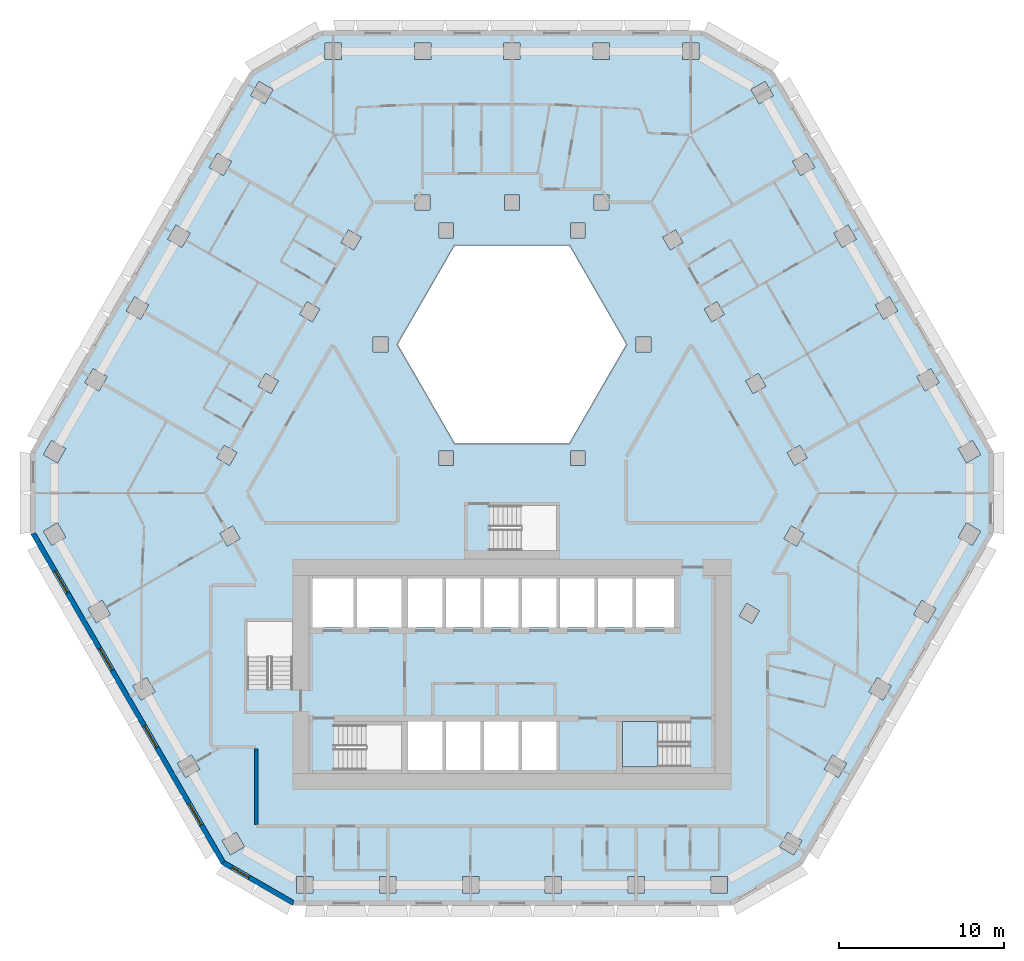
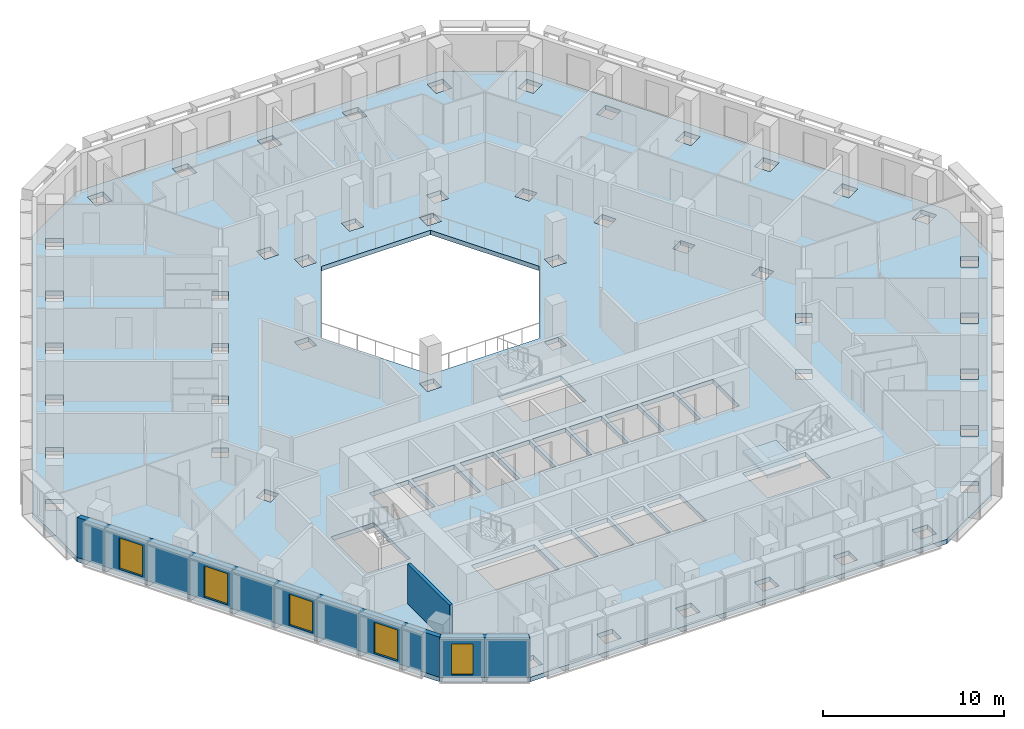
# One storey, part 2 of 15: 5 windows, 3 walls, 2 slabs, 5 openings, 1 element without a shape of its own.
"""IFC4 building model written with IfcOpenShell, lengths in metres."""

from ifc_helpers import new_model, si_unit, direction, frame, frame_2d, origin, place, context, subcontext, project, spatial, polyline, rectangle, outline, extrude, material, layer, layer_set, type_object, element, fill, aggregate, save


model = new_model("IFC4")

# Units and contexts
model_context = context("Model", 3, precision=1e-05, world=origin(), true_north=direction((0.0, 1.0)))
body_context = subcontext(model_context, "Body", "Model", "MODEL_VIEW")
ifc_project = project(units=[si_unit("LENGTHUNIT", "METRE"), si_unit("AREAUNIT", "SQUARE_METRE"), si_unit("VOLUMEUNIT", "CUBIC_METRE"), si_unit("PLANEANGLEUNIT", "RADIAN"), si_unit("MASSUNIT", "GRAM", prefix="KILO")], contexts=[model_context])

# Site, building, storey
site_placement = place(None, origin())
site = spatial("IfcSite", under=ifc_project, at=site_placement, CompositionType="ELEMENT")
building_placement = place(site_placement, origin())
building = spatial("IfcBuilding", under=site, at=building_placement, Name="Beryl Residences", CompositionType="ELEMENT")
storey_placement = place(building_placement, frame((0.0, 0.0, 72.0)))
storey = spatial("IfcBuildingStorey", under=building, at=storey_placement, Name="L21", CompositionType="ELEMENT", Elevation=72.0)

# Slab
ifc_material_1 = material(Name="Concrete C40/50", Category="concrete")
ifc_layer_1 = layer(ifc_material_1, 0.300048828125)
ifc_layer_set_1 = layer_set([ifc_layer_1], Name="SL7 PT floor slab 300 mm C40/50")
slab_type_1 = type_object("IfcSlabType", Name="SL7 PT floor slab 300 mm C40/50", PredefinedType="FLOOR", material=ifc_layer_set_1)
slab_1_placement = place(storey_placement, frame((0.0, 0.0, -0.300048828125)))
element("IfcSlab", 1, at=slab_1_placement, inside=storey, type_object=slab_type_1, Name="L21 slab 1", PredefinedType="FLOOR", context=body_context, shape_type="SweptSolid", body=[
    extrude(outline(polyline([(29.156982421875, -3.5), (17.60888671875, -23.5), (13.279052734375, -26.0), (-13.279052734375, -26.0), (-17.60888671875, -23.5), (-29.156982421875, -3.5), (-29.156982421875, 1.5), (-15.876953125, 24.5), (-11.547119140625, 27.0), (11.547119140625, 27.0), (15.876953125, 24.5), (29.156982421875, 1.5), (29.156982421875, -3.5)]), holes=[polyline([(28.39697265625, 1.31591796875), (27.89697265625, 2.181884765625), (27.031005859375, 1.681884765625), (27.531005859375, 0.81591796875), (28.39697265625, 1.31591796875)]), polyline([(28.39697265625, -3.31591796875), (27.531005859375, -2.81591796875), (27.031005859375, -3.681884765625), (27.89697265625, -4.181884765625), (28.39697265625, -3.31591796875)]), polyline([(25.385009765625, 6.532958984375), (24.51904296875, 6.032958984375), (25.01904296875, 5.1669921875), (25.885009765625, 5.6669921875), (25.385009765625, 6.532958984375)]), polyline([(25.68994140625, -8.00390625), (24.823974609375, -7.50390625), (24.323974609375, -8.3701171875), (25.18994140625, -8.8701171875), (25.68994140625, -8.00390625)]), polyline([(22.873046875, 10.883056640625), (22.007080078125, 10.383056640625), (22.507080078125, 9.51708984375), (23.373046875, 10.01708984375), (22.873046875, 10.883056640625)]), polyline([(22.116943359375, -12.19189453125), (21.616943359375, -13.05810546875), (22.48291015625, -13.55810546875), (22.98291015625, -12.69189453125), (22.116943359375, -12.19189453125)]), polyline([(20.362060546875, 15.23291015625), (19.49609375, 14.73291015625), (19.99609375, 13.866943359375), (20.862060546875, 14.366943359375), (20.362060546875, 15.23291015625)]), polyline([(19.777099609375, -18.24609375), (20.277099609375, -17.3798828125), (19.410888671875, -16.8798828125), (18.910888671875, -17.74609375), (19.777099609375, -18.24609375)]), polyline([(17.85009765625, 19.5830078125), (16.98388671875, 19.0830078125), (17.48388671875, 18.217041015625), (18.35009765625, 18.717041015625), (17.85009765625, 19.5830078125)]), polyline([(17.443115234375, 1.888916015625), (16.6630859375, 1.43896484375), (17.113037109375, 0.658935546875), (17.89306640625, 1.10888671875), (17.443115234375, 1.888916015625)]), polyline([(17.697998046875, -3.447021484375), (16.91796875, -2.9970703125), (16.468017578125, -3.777099609375), (17.248046875, -4.22705078125), (17.697998046875, -3.447021484375)]), polyline([(17.570068359375, -22.068115234375), (16.7041015625, -21.568115234375), (16.2041015625, -22.43408203125), (17.070068359375, -22.93408203125), (17.570068359375, -22.068115234375)]), polyline([(15.839111328125, 23.06689453125), (15.339111328125, 23.93310546875), (14.472900390625, 23.43310546875), (14.972900390625, 22.56689453125), (15.839111328125, 23.06689453125)]), polyline([(14.930908203125, 6.239990234375), (14.15087890625, 5.7900390625), (14.60107421875, 5.010009765625), (15.381103515625, 5.4599609375), (14.930908203125, 6.239990234375)]), polyline([(14.990966796875, -8.135009765625), (14.2109375, -7.68505859375), (13.760986328125, -8.465087890625), (14.541015625, -8.9150390625), (14.990966796875, -8.135009765625)]), polyline([(13.05810546875, -25.25), (13.05810546875, -24.25), (12.05810546875, -24.25), (12.05810546875, -25.25), (13.05810546875, -25.25)]), polyline([(12.419921875, 10.590087890625), (11.639892578125, 10.139892578125), (12.090087890625, 9.360107421875), (12.8701171875, 9.81005859375), (12.419921875, 10.590087890625)]), polyline([(11.324951171875, 26.25), (10.324951171875, 26.25), (10.324951171875, 25.25), (11.324951171875, 25.25), (11.324951171875, 26.25)]), polyline([(10.699951171875, -14.85009765625), (6.699951171875, -14.85009765625), (6.699951171875, -17.60009765625), (10.699951171875, -17.60009765625), (10.699951171875, -14.85009765625)]), polyline([(9.1279296875, 14.489990234375), (9.577880859375, 13.7099609375), (10.35791015625, 14.159912109375), (9.907958984375, 14.93994140625), (9.1279296875, 14.489990234375)]), polyline([(9.800048828125, -6.199951171875), (7.5, -6.199951171875), (7.5, -9.14990234375), (9.800048828125, -9.14990234375), (9.800048828125, -6.199951171875)]), polyline([(8.4169921875, 7.550048828125), (8.4169921875, 8.449951171875), (7.51708984375, 8.449951171875), (7.51708984375, 7.550048828125), (8.4169921875, 7.550048828125)]), polyline([(8.034912109375, -25.25), (8.034912109375, -24.25), (7.034912109375, -24.25), (7.034912109375, -25.25), (8.034912109375, -25.25)]), polyline([(5.199951171875, -6.199951171875), (5.199951171875, -9.14990234375), (7.300048828125, -9.14990234375), (7.300048828125, -6.199951171875), (5.199951171875, -6.199951171875)]), polyline([(3.464111328125, 14.0), (-3.464111328125, 14.0), (-6.92822265625, 8.0), (-3.464111328125, 2.0), (3.464111328125, 2.0), (6.92822265625, 8.0), (3.464111328125, 14.0)]), polyline([(4.912109375, 26.25), (4.912109375, 25.25), (5.912109375, 25.25), (5.912109375, 26.25), (4.912109375, 26.25)]), polyline([(4.9619140625, 17.050048828125), (4.9619140625, 16.14990234375), (5.862060546875, 16.14990234375), (5.862060546875, 17.050048828125), (4.9619140625, 17.050048828125)]), polyline([(2.89990234375, -9.14990234375), (5.0, -9.14990234375), (5.0, -6.199951171875), (2.89990234375, -6.199951171875), (2.89990234375, -9.14990234375)]), polyline([(4.43408203125, 14.449951171875), (4.43408203125, 15.35009765625), (3.533935546875, 15.35009765625), (3.533935546875, 14.449951171875), (4.43408203125, 14.449951171875)]), polyline([(4.43408203125, 0.64990234375), (4.43408203125, 1.550048828125), (3.533935546875, 1.550048828125), (3.533935546875, 0.64990234375), (4.43408203125, 0.64990234375)]), polyline([(2.011962890625, -25.25), (3.011962890625, -25.25), (3.011962890625, -24.25), (2.011962890625, -24.25), (2.011962890625, -25.25)]), polyline([(0.60009765625, -6.199951171875), (0.60009765625, -9.14990234375), (2.699951171875, -9.14990234375), (2.699951171875, -6.199951171875), (0.60009765625, -6.199951171875)]), polyline([(0.60009765625, -17.800048828125), (2.699951171875, -17.800048828125), (2.699951171875, -14.85009765625), (0.60009765625, -14.85009765625), (0.60009765625, -17.800048828125)]), polyline([(-1.300048828125, -1.75), (-1.300048828125, -4.5), (2.699951171875, -4.5), (2.699951171875, -1.75), (-1.300048828125, -1.75)]), polyline([(-0.5009765625, 25.25), (0.4990234375, 25.25), (0.4990234375, 26.25), (-0.5009765625, 26.25), (-0.5009765625, 25.25)]), polyline([(-0.450927734375, 17.050048828125), (-0.450927734375, 16.14990234375), (0.448974609375, 16.14990234375), (0.448974609375, 17.050048828125), (-0.450927734375, 17.050048828125)]), polyline([(-1.699951171875, -9.14990234375), (0.39990234375, -9.14990234375), (0.39990234375, -6.199951171875), (-1.699951171875, -6.199951171875), (-1.699951171875, -9.14990234375)]), polyline([(-1.699951171875, -17.800048828125), (0.39990234375, -17.800048828125), (0.39990234375, -14.85009765625), (-1.699951171875, -14.85009765625), (-1.699951171875, -17.800048828125)]), polyline([(-4.0, -9.14990234375), (-1.89990234375, -9.14990234375), (-1.89990234375, -6.199951171875), (-4.0, -6.199951171875), (-4.0, -9.14990234375)]), polyline([(-4.0, -17.800048828125), (-1.89990234375, -17.800048828125), (-1.89990234375, -14.85009765625), (-4.0, -14.85009765625), (-4.0, -17.800048828125)]), polyline([(-2.010986328125, -25.25), (-2.010986328125, -24.25), (-3.010986328125, -24.25), (-3.010986328125, -25.25), (-2.010986328125, -25.25)]), polyline([(-3.533935546875, 14.449951171875), (-3.533935546875, 15.35009765625), (-4.43408203125, 15.35009765625), (-4.43408203125, 14.449951171875), (-3.533935546875, 14.449951171875)]), polyline([(-3.533935546875, 0.64990234375), (-3.533935546875, 1.550048828125), (-4.43408203125, 1.550048828125), (-4.43408203125, 0.64990234375), (-3.533935546875, 0.64990234375)]), polyline([(-6.300048828125, -17.800048828125), (-4.199951171875, -17.800048828125), (-4.199951171875, -14.85009765625), (-6.300048828125, -14.85009765625), (-6.300048828125, -17.800048828125)]), polyline([(-6.300048828125, -9.14990234375), (-4.199951171875, -9.14990234375), (-4.199951171875, -6.199951171875), (-6.300048828125, -6.199951171875), (-6.300048828125, -9.14990234375)]), polyline([(-5.9140625, 26.25), (-5.9140625, 25.25), (-4.9140625, 25.25), (-4.9140625, 26.25), (-5.9140625, 26.25)]), polyline([(-5.864013671875, 16.14990234375), (-4.964111328125, 16.14990234375), (-4.964111328125, 17.050048828125), (-5.864013671875, 17.050048828125), (-5.864013671875, 16.14990234375)]), polyline([(-6.699951171875, -17.800048828125), (-6.699951171875, -15.050048828125), (-10.699951171875, -15.050048828125), (-10.699951171875, -17.800048828125), (-6.699951171875, -17.800048828125)]), polyline([(-9.39990234375, -9.14990234375), (-6.699951171875, -9.14990234375), (-6.699951171875, -6.199951171875), (-9.39990234375, -6.199951171875), (-9.39990234375, -9.14990234375)]), polyline([(-7.033935546875, -25.25), (-7.033935546875, -24.25), (-8.033935546875, -24.25), (-8.033935546875, -25.25), (-7.033935546875, -25.25)]), polyline([(-8.4169921875, 7.550048828125), (-7.51708984375, 7.550048828125), (-7.51708984375, 8.449951171875), (-8.4169921875, 8.449951171875), (-8.4169921875, 7.550048828125)]), polyline([(-9.577880859375, 13.7099609375), (-9.1279296875, 14.489990234375), (-9.907958984375, 14.93994140625), (-10.35791015625, 14.159912109375), (-9.577880859375, 13.7099609375)]), polyline([(-12.10009765625, -9.14990234375), (-9.60009765625, -9.14990234375), (-9.60009765625, -6.199951171875), (-12.10009765625, -6.199951171875), (-12.10009765625, -9.14990234375)]), polyline([(-11.326904296875, 26.25), (-11.326904296875, 25.25), (-10.326904296875, 25.25), (-10.326904296875, 26.25), (-11.326904296875, 26.25)]), polyline([(-12.868896484375, 9.81005859375), (-12.089111328125, 9.360107421875), (-11.638916015625, 10.139892578125), (-12.4189453125, 10.590087890625), (-12.868896484375, 9.81005859375)]), polyline([(-12.056884765625, -24.25), (-13.056884765625, -24.25), (-13.056884765625, -25.25), (-12.056884765625, -25.25), (-12.056884765625, -24.25)]), polyline([(-13.300048828125, -8.800048828125), (-16.050048828125, -8.800048828125), (-16.050048828125, -12.800048828125), (-13.300048828125, -12.800048828125), (-13.300048828125, -8.800048828125)]), polyline([(-15.381103515625, 5.4599609375), (-14.60107421875, 5.010009765625), (-14.15087890625, 5.7900390625), (-14.930908203125, 6.239990234375), (-15.381103515625, 5.4599609375)]), polyline([(-14.971923828125, 22.568115234375), (-14.471923828125, 23.43408203125), (-15.337890625, 23.93408203125), (-15.837890625, 23.068115234375), (-14.971923828125, 22.568115234375)]), polyline([(-17.070068359375, -22.93408203125), (-16.2041015625, -22.43408203125), (-16.7041015625, -21.568115234375), (-17.570068359375, -22.068115234375), (-17.070068359375, -22.93408203125)]), polyline([(-17.248046875, -4.22705078125), (-16.468017578125, -3.777099609375), (-16.91796875, -2.9970703125), (-17.697998046875, -3.447021484375), (-17.248046875, -4.22705078125)]), polyline([(-17.89208984375, 1.110107421875), (-17.112060546875, 0.659912109375), (-16.662109375, 1.43994140625), (-17.44189453125, 1.889892578125), (-17.89208984375, 1.110107421875)]), polyline([(-18.35009765625, 18.717041015625), (-17.48388671875, 18.217041015625), (-16.98388671875, 19.0830078125), (-17.85009765625, 19.5830078125), (-18.35009765625, 18.717041015625)]), polyline([(-19.777099609375, -18.24609375), (-18.910888671875, -17.74609375), (-19.410888671875, -16.8798828125), (-20.277099609375, -17.3798828125), (-19.777099609375, -18.24609375)]), polyline([(-20.861083984375, 14.366943359375), (-19.9951171875, 13.866943359375), (-19.4951171875, 14.73291015625), (-20.361083984375, 15.23291015625), (-20.861083984375, 14.366943359375)]), polyline([(-21.616943359375, -13.05810546875), (-22.116943359375, -12.19189453125), (-22.98291015625, -12.69189453125), (-22.48291015625, -13.55810546875), (-21.616943359375, -13.05810546875)]), polyline([(-23.373046875, 10.01708984375), (-22.507080078125, 9.51708984375), (-22.007080078125, 10.383056640625), (-22.873046875, 10.883056640625), (-23.373046875, 10.01708984375)]), polyline([(-25.18994140625, -8.8701171875), (-24.323974609375, -8.3701171875), (-24.823974609375, -7.50390625), (-25.68994140625, -8.00390625), (-25.18994140625, -8.8701171875)]), polyline([(-25.385009765625, 6.532958984375), (-25.885009765625, 5.6669921875), (-25.01904296875, 5.1669921875), (-24.51904296875, 6.032958984375), (-25.385009765625, 6.532958984375)]), polyline([(-28.39599609375, 1.31689453125), (-27.530029296875, 0.81689453125), (-27.030029296875, 1.68310546875), (-27.89599609375, 2.18310546875), (-28.39599609375, 1.31689453125)]), polyline([(-27.031005859375, -3.681884765625), (-27.531005859375, -2.81591796875), (-28.39697265625, -3.31591796875), (-27.89697265625, -4.181884765625), (-27.031005859375, -3.681884765625)])]), origin(), (0.0, 0.0, 1.0), 0.300048828125),
])

# Stair, slab
ifc_material_2 = material(Name="Concrete C40/50", Category="concrete")
stair_type = type_object("IfcStairType", Name="ST1 protected exit stair, half-turn, 1300 mm flights", PredefinedType="HALF_TURN_STAIR", material=ifc_material_2)
stair_placement = place(storey_placement, origin())
stair = element("IfcStair", 2, at=stair_placement, inside=storey, type_object=stair_type, Name="L21 PROTECTED EXIT STAIR ST-3", PredefinedType="HALF_TURN_STAIR")
ifc_material_3 = material(Name="Concrete C40/50", Category="concrete")
ifc_layer_2 = layer(ifc_material_3, 0.199951171875)
ifc_layer_set_2 = layer_set([ifc_layer_2], Name="SLD1 stair landing 200 mm")
slab_type_2 = type_object("IfcSlabType", Name="SLD1 stair landing 200 mm", PredefinedType="LANDING", material=ifc_layer_set_2)
slab_2_placement = place(storey_placement, frame((0.0, 0.0, 1.300048828125)))
slab_2 = element("IfcSlab", 3, at=slab_2_placement, type_object=slab_type_2, Name="ST-3 landing 1", PredefinedType="LANDING", context=body_context, shape_type="SweptSolid", body=[
    extrude(outline(polyline([(8.840087890625, -14.85009765625), (6.699951171875, -14.85009765625), (6.699951171875, -17.60009765625), (8.840087890625, -17.60009765625), (8.840087890625, -14.85009765625)])), origin(), (0.0, 0.0, 1.0), 0.199951171875),
])
aggregate(stair, [slab_2])

# Wall, openings, windows
ifc_material_4 = material(Name="Composite metal panel with mineral wool insulation")
ifc_layer_3 = layer(ifc_material_4, 0.300048828125)
ifc_layer_set_3 = layer_set([ifc_layer_3], Name="ES1 pale metal composite panel wall 300 mm")
wall_type_1 = type_object("IfcWallType", Name="ES1 pale metal composite panel wall 300 mm", PredefinedType="SOLIDWALL", material=ifc_layer_set_3)
wall_1_placement = place(storey_placement, frame((-29.027099609375, -3.425048828125, 0.0), z_axis=(0.0, 0.0, 1.0), x_axis=(0.500035407905, -0.866004960056, 0.0)))
wall_1 = element("IfcWall", 4, at=wall_1_placement, inside=storey, type_object=wall_type_1, Name="ES1 external wall L21 SW", PredefinedType="SOLIDWALL", context=body_context, shape_type="SweptSolid", body=[
    extrude(outline(polyline([(0.0, -0.14990234375), (23.094482421875, -0.14990234375), (23.01416015625, 0.14990234375), (0.080322265625, 0.14990234375), (0.0, -0.14990234375)])), origin(), (0.0, 0.0, 1.0), 2.699951171875),
])
opening_1_placement = place(wall_1_placement, frame((2.677001953125, 0.0, 0.14990234375)))
opening_1 = element("IfcOpeningElement", 5, at=opening_1_placement, cuts=wall_1, Name="Opening W1", PredefinedType="OPENING", context=body_context, shape_type="SweptSolid", body=[
    extrude(rectangle(XDim=1.5, YDim=2.10009765625, at=frame_2d((0.75, 1.050048828125))), frame((0.0, 0.159912109375, 0.0), z_axis=(0.0, -1.0, 0.0), x_axis=(1.0, 0.0, 0.0)), (0.0, 0.0, 1.0), 0.320068359375),
])
opening_2_placement = place(wall_1_placement, frame((8.091064453125, 0.0, 0.14990234375)))
opening_2 = element("IfcOpeningElement", 6, at=opening_2_placement, cuts=wall_1, Name="Opening W1", PredefinedType="OPENING", context=body_context, shape_type="SweptSolid", body=[
    extrude(rectangle(XDim=1.5, YDim=2.10009765625, at=frame_2d((0.75, 1.050048828125))), frame((0.0, 0.159912109375, 0.0), z_axis=(0.0, -1.0, 0.0), x_axis=(1.0, 0.0, 0.0)), (0.0, 0.0, 1.0), 0.320068359375),
])
opening_3_placement = place(wall_1_placement, frame((13.50390625, 0.0, 0.14990234375)))
opening_3 = element("IfcOpeningElement", 7, at=opening_3_placement, cuts=wall_1, Name="Opening W1", PredefinedType="OPENING", context=body_context, shape_type="SweptSolid", body=[
    extrude(rectangle(XDim=1.5, YDim=2.10009765625, at=frame_2d((0.75, 1.050048828125))), frame((0.0, 0.159912109375, 0.0), z_axis=(0.0, -1.0, 0.0), x_axis=(1.0, 0.0, 0.0)), (0.0, 0.0, 1.0), 0.320068359375),
])
opening_4_placement = place(wall_1_placement, frame((18.9169921875, 0.0, 0.14990234375)))
opening_4 = element("IfcOpeningElement", 8, at=opening_4_placement, cuts=wall_1, Name="Opening W1", PredefinedType="OPENING", context=body_context, shape_type="SweptSolid", body=[
    extrude(rectangle(XDim=1.5, YDim=2.10009765625, at=frame_2d((0.75, 1.050048828125))), frame((0.0, 0.159912109375, 0.0), z_axis=(0.0, -1.0, 0.0), x_axis=(1.0, 0.0, 0.0)), (0.0, 0.0, 1.0), 0.320068359375),
])
ifc_material_5 = material(Name="Aluminium and clear glass", Category="aluminium")
window_type_1 = type_object("IfcWindowType", Name="W1 cell window 1500 x 2100 mm", PartitioningType="SINGLE_PANEL", PredefinedType="WINDOW", material=ifc_material_5)
window_1_placement = place(opening_1_placement, origin())
window_1 = element("IfcWindow", 9, at=window_1_placement, inside=storey, type_object=window_type_1, Name="W1 window L21 SW 2", OverallHeight=2.10009765625, OverallWidth=1.5, PartitioningType="SINGLE_PANEL", PredefinedType="WINDOW", context=body_context, shape_type="SweptSolid", body=[
    extrude(rectangle(XDim=1.5, YDim=2.10009765625, at=frame_2d((0.75, 1.050048828125))), frame((0.0, 0.030029296875, 0.0), z_axis=(0.0, -1.0, 0.0), x_axis=(1.0, 0.0, 0.0)), (0.0, 0.0, 1.0), 0.06005859375),
])
fill(opening_1, window_1)
window_2_placement = place(opening_2_placement, origin())
window_2 = element("IfcWindow", 10, at=window_2_placement, inside=storey, type_object=window_type_1, Name="W1 window L21 SW 4", OverallHeight=2.10009765625, OverallWidth=1.5, PartitioningType="SINGLE_PANEL", PredefinedType="WINDOW", context=body_context, shape_type="SweptSolid", body=[
    extrude(rectangle(XDim=1.5, YDim=2.10009765625, at=frame_2d((0.75, 1.050048828125))), frame((0.0, 0.030029296875, 0.0), z_axis=(0.0, -1.0, 0.0), x_axis=(1.0, 0.0, 0.0)), (0.0, 0.0, 1.0), 0.06005859375),
])
fill(opening_2, window_2)
window_3_placement = place(opening_3_placement, origin())
window_3 = element("IfcWindow", 11, at=window_3_placement, inside=storey, type_object=window_type_1, Name="W1 window L21 SW 6", OverallHeight=2.10009765625, OverallWidth=1.5, PartitioningType="SINGLE_PANEL", PredefinedType="WINDOW", context=body_context, shape_type="SweptSolid", body=[
    extrude(rectangle(XDim=1.5, YDim=2.10009765625, at=frame_2d((0.75, 1.050048828125))), frame((0.0, 0.030029296875, 0.0), z_axis=(0.0, -1.0, 0.0), x_axis=(1.0, 0.0, 0.0)), (0.0, 0.0, 1.0), 0.06005859375),
])
fill(opening_3, window_3)
window_4_placement = place(opening_4_placement, origin())
window_4 = element("IfcWindow", 12, at=window_4_placement, inside=storey, type_object=window_type_1, Name="W1 window L21 SW 8", OverallHeight=2.10009765625, OverallWidth=1.5, PartitioningType="SINGLE_PANEL", PredefinedType="WINDOW", context=body_context, shape_type="SweptSolid", body=[
    extrude(rectangle(XDim=1.5, YDim=2.10009765625, at=frame_2d((0.75, 1.050048828125))), frame((0.0, 0.030029296875, 0.0), z_axis=(0.0, -1.0, 0.0), x_axis=(1.0, 0.0, 0.0)), (0.0, 0.0, 1.0), 0.06005859375),
])
fill(opening_4, window_4)

# Wall, opening, window
wall_2_placement = place(storey_placement, frame((-17.533935546875, -23.3701171875, 0.0), z_axis=(0.0, 0.0, 1.0), x_axis=(0.866010750942, -0.50002537861, 0.0)))
wall_2 = element("IfcWall", 13, at=wall_2_placement, inside=storey, type_object=wall_type_1, Name="ES1 external wall L21 SW-S", PredefinedType="SOLIDWALL", context=body_context, shape_type="SweptSolid", body=[
    extrude(outline(polyline([(0.0, -0.14990234375), (4.999755859375, -0.14990234375), (4.91943359375, 0.14990234375), (0.080322265625, 0.14990234375), (0.0, -0.14990234375)])), origin(), (0.0, 0.0, 1.0), 2.699951171875),
])
opening_5_placement = place(wall_2_placement, frame((0.64990234375, 0.0, 0.14990234375)))
opening_5 = element("IfcOpeningElement", 14, at=opening_5_placement, cuts=wall_2, Name="Opening W2", PredefinedType="OPENING", context=body_context, shape_type="SweptSolid", body=[
    extrude(rectangle(XDim=1.199951171875, YDim=2.10009765625, at=frame_2d((0.60009765625, 1.050048828125))), frame((0.0, 0.159912109375, 0.0), z_axis=(0.0, -1.0, 0.0), x_axis=(1.0, 0.0, 0.0)), (0.0, 0.0, 1.0), 0.320068359375),
])
ifc_material_6 = material(Name="Aluminium and clear glass", Category="aluminium")
window_type_2 = type_object("IfcWindowType", Name="W2 chamfer window 1200 x 2100 mm", PartitioningType="SINGLE_PANEL", PredefinedType="WINDOW", material=ifc_material_6)
window_5_placement = place(opening_5_placement, origin())
window_5 = element("IfcWindow", 15, at=window_5_placement, inside=storey, type_object=window_type_2, Name="W2 window L21 SW-S 1", OverallHeight=2.10009765625, OverallWidth=1.199951171875, PartitioningType="SINGLE_PANEL", PredefinedType="WINDOW", context=body_context, shape_type="SweptSolid", body=[
    extrude(rectangle(XDim=1.199951171875, YDim=2.10009765625, at=frame_2d((0.60009765625, 1.050048828125))), frame((0.0, 0.030029296875, 0.0), z_axis=(0.0, -1.0, 0.0), x_axis=(1.0, 0.0, 0.0)), (0.0, 0.0, 1.0), 0.06005859375),
])
fill(opening_5, window_5)

# Wall
ifc_material_7 = material(Name="Double stud gypsum board wall")
ifc_layer_4 = layer(ifc_material_7, 0.199951171875)
ifc_layer_set_4 = layer_set([ifc_layer_4], Name="PT4 corridor wall 200 mm double stud")
wall_type_2 = type_object("IfcWallType", Name="PT4 corridor wall 200 mm double stud", PredefinedType="PARTITIONING", material=ifc_layer_set_4)
wall_3_placement = place(storey_placement, frame((-15.5, -16.5009765625, 0.0), z_axis=(0.0, 0.0, 1.0), x_axis=(0.0, -1.0, 0.0)))
element("IfcWall", 16, at=wall_3_placement, inside=storey, type_object=wall_type_2, Name="Wall PT4 L21 007", PredefinedType="PARTITIONING", context=body_context, shape_type="SweptSolid", body=[
    extrude(rectangle(XDim=4.59814453125, YDim=0.199951171875, at=frame_2d((2.299072265625, 0.0))), origin(), (0.0, 0.0, 1.0), 2.699951171875),
])

save(model, "model.ifc")
